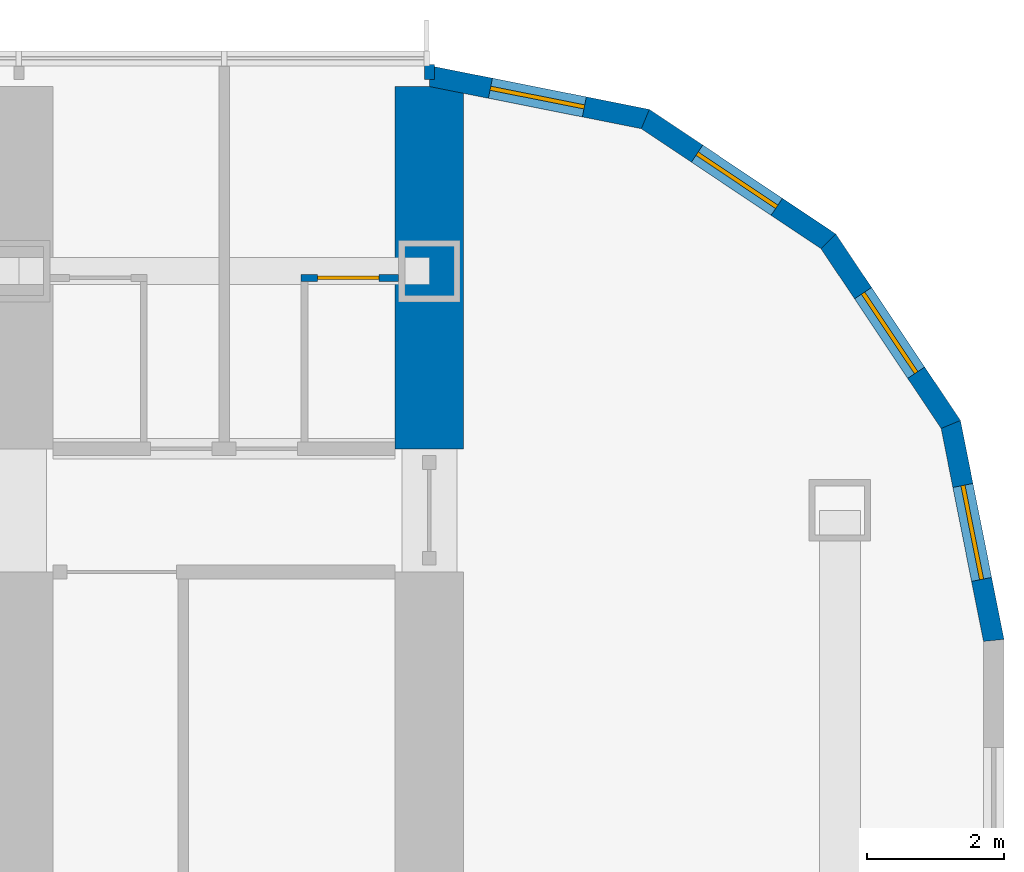
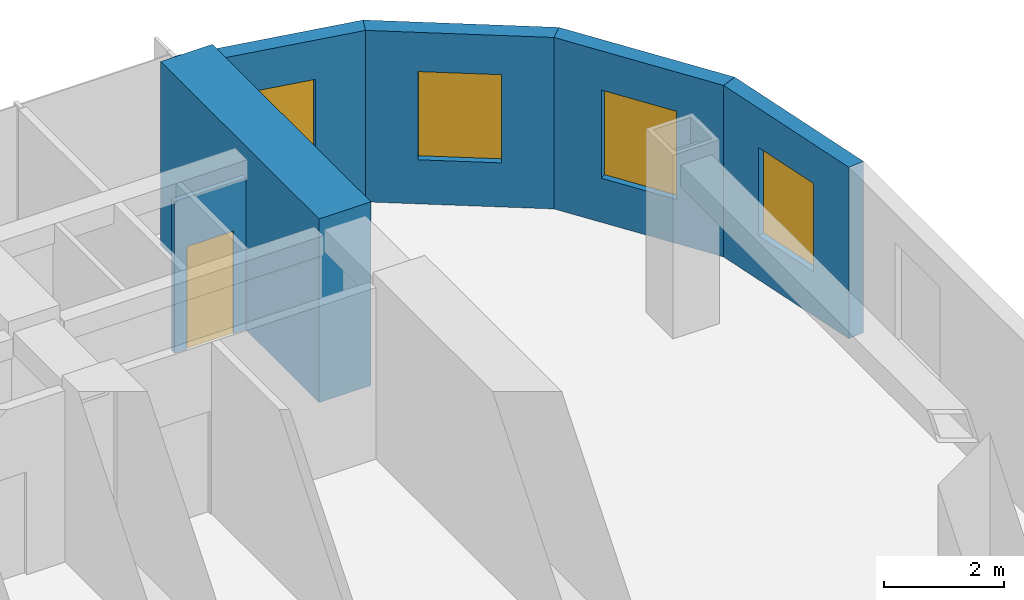
# One storey, part 19 of 24: 7 walls, 4 windows, 1 door, 5 openings.
"""IFC4 building model written with IfcOpenShell, lengths in metres."""

from ifc_helpers import new_model, si_unit, direction, frame, frame_2d, origin, place, context, subcontext, project, spatial, polyline, rectangle, outline, extrude, material, layer, layer_set, type_object, element, fill, save


model = new_model("IFC4")

# Units and contexts
model_context = context("Model", 3, precision=1e-05, world=origin(), true_north=direction((0.0, 1.0)))
body_context = subcontext(model_context, "Body", "Model", "MODEL_VIEW")
ifc_project = project(units=[si_unit("LENGTHUNIT", "METRE"), si_unit("AREAUNIT", "SQUARE_METRE"), si_unit("VOLUMEUNIT", "CUBIC_METRE"), si_unit("PLANEANGLEUNIT", "RADIAN"), si_unit("MASSUNIT", "GRAM", prefix="KILO")], contexts=[model_context])

# Site, building, storey
site_placement = place(None, origin())
site = spatial("IfcSite", under=ifc_project, at=site_placement, CompositionType="ELEMENT")
building_placement = place(site_placement, origin())
building = spatial("IfcBuilding", under=site, at=building_placement, Name="Orbita Commons", CompositionType="ELEMENT")
storey_placement = place(building_placement, frame((0.0, 0.0, 27.699951171875)))
storey = spatial("IfcBuildingStorey", under=building, at=storey_placement, Name="L06", CompositionType="ELEMENT", Elevation=27.699951171875)

# Wall
ifc_material_1 = material(Name="Concrete C50/60", Category="concrete")
ifc_layer_1 = layer(ifc_material_1, 1.0)
ifc_layer_set_1 = layer_set([ifc_layer_1], Name="Concrete C50/60")
wall_type_1 = type_object("IfcWallType", Name="Cross wall 1000 C50/60", PredefinedType="SHEAR", material=ifc_layer_set_1)
wall_1_placement = place(storey_placement, frame((72.0, 51.0, 0.0), z_axis=(0.0, 0.0, 1.0), x_axis=(0.0, 1.0, 0.0)))
element("IfcWall", 1, at=wall_1_placement, inside=storey, type_object=wall_type_1, Name="Cross wall 13 north outer L06", PredefinedType="SHEAR", context=body_context, shape_type="SweptSolid", body=[
    extrude(rectangle(XDim=5.300048828125, YDim=1.0, at=frame_2d((2.64990234375, 0.0))), origin(), (0.0, 0.0, 1.0), 3.75),
])

# Wall, opening, door
ifc_material_2 = material(Name="Moisture-resistant plasterboard on steel studs", Category="steel")
ifc_layer_2 = layer(ifc_material_2, 0.10009765625)
ifc_layer_set_2 = layer_set([ifc_layer_2], Name="Moisture-resistant plasterboard on steel studs")
wall_type_2 = type_object("IfcWallType", Name="En-suite partition 100", PredefinedType="PARTITIONING", material=ifc_layer_set_2)
wall_2_placement = place(storey_placement, frame((70.125, 53.5, 0.0), z_axis=(0.0, 0.0, 1.0), x_axis=(1.0, 0.0, 0.0)))
wall_2 = element("IfcWall", 2, at=wall_2_placement, inside=storey, type_object=wall_type_2, Name="En-suite partition 100 L06", PredefinedType="PARTITIONING", context=body_context, shape_type="SweptSolid", body=[
    extrude(outline(polyline([(0.0, 0.0), (1.425048828125, 0.0), (1.425048828125, 3.10009765625), (0.0, 3.10009765625), (0.0, 0.0)])), frame((0.0, 0.050048828125, 0.0), z_axis=(0.0, -1.0, 0.0), x_axis=(1.0, 0.0, 0.0)), (0.0, 0.0, 1.0), 0.10009765625),
])
opening_1_placement = place(wall_2_placement, frame((0.237548828125, 0.0, 0.0)))
opening_1 = element("IfcOpeningElement", 3, at=opening_1_placement, cuts=wall_2, Name="Opening D09", PredefinedType="OPENING", context=body_context, shape_type="SweptSolid", body=[
    extrude(rectangle(XDim=0.89990234375, YDim=2.10009765625, at=frame_2d((0.449951171875, 1.050048828125))), frame((0.0, 0.06005859375, 0.0), z_axis=(0.0, -1.0, 0.0), x_axis=(1.0, 0.0, 0.0)), (0.0, 0.0, 1.0), 0.1201171875),
])
ifc_material_3 = material(Name="Laminated timber door leaf", Category="wood")
door_type = type_object("IfcDoorType", Name="En-suite door 900x2100", OperationType="SINGLE_SWING_RIGHT", PredefinedType="DOOR", material=ifc_material_3)
door_placement = place(opening_1_placement, origin())
door = element("IfcDoor", 4, at=door_placement, inside=storey, type_object=door_type, Name="En-suite L06-N19 door", OperationType="SINGLE_SWING_RIGHT", OverallHeight=2.10009765625, OverallWidth=0.89990234375, PredefinedType="DOOR", context=body_context, shape_type="SweptSolid", body=[
    extrude(rectangle(XDim=0.89990234375, YDim=2.10009765625, at=frame_2d((0.449951171875, 1.050048828125))), frame((0.0, 0.02490234375, 0.0), z_axis=(0.0, -1.0, 0.0), x_axis=(1.0, 0.0, 0.0)), (0.0, 0.0, 1.0), 0.050048828125),
])
fill(opening_1, door)

# Wall
ifc_material_4 = material(Name="Gypsum plasterboard on steel studs", Category="steel")
ifc_layer_3 = layer(ifc_material_4, 0.14990234375)
ifc_layer_set_3 = layer_set([ifc_layer_3], Name="Gypsum plasterboard on steel studs")
wall_type_3 = type_object("IfcWallType", Name="Partition 150 plasterboard", PredefinedType="PARTITIONING", material=ifc_layer_set_3)
wall_3_placement = place(storey_placement, frame((72.0, 56.39990234375, 0.0), z_axis=(0.0, 0.0, 1.0), x_axis=(0.0, 1.0, 0.0)))
element("IfcWall", 5, at=wall_3_placement, inside=storey, type_object=wall_type_3, Name="Partition 150 plasterboard L06", PredefinedType="PARTITIONING", context=body_context, shape_type="SweptSolid", body=[
    extrude(rectangle(XDim=0.22021484375, YDim=0.14990234375, at=frame_2d((0.110107421875, 0.0))), origin(), (0.0, 0.0, 1.0), 3.5),
])

# Wall, opening, window
ifc_material_5 = material(Name="Precast concrete C40/50, white board-marked finish", Category="concrete")
ifc_layer_4 = layer(ifc_material_5, 0.300048828125)
ifc_layer_set_4 = layer_set([ifc_layer_4], Name="Precast concrete C40/50, white board-marked finish")
wall_type_4 = type_object("IfcWallType", Name="Precast concrete end shield 300", PredefinedType="SOLIDWALL", material=ifc_layer_set_4)
wall_4_placement = place(storey_placement, frame((80.25, 48.199951171875, 0.0), z_axis=(0.0, 0.0, 1.0), x_axis=(-0.195065901187, 0.980790137692, 0.0)))
wall_4 = element("IfcWall", 6, at=wall_4_placement, inside=storey, type_object=wall_type_4, Name="End shield NE chord 1 L06", PredefinedType="SOLIDWALL", context=body_context, shape_type="SweptSolid", body=[
    extrude(outline(polyline([(-0.014892578125, -0.14990234375), (3.248779296875, -0.14990234375), (3.189208984375, 0.14990234375), (0.014892578125, 0.14990234375), (-0.014892578125, -0.14990234375)])), origin(), (0.0, 0.0, 1.0), 3.5),
])
opening_2_placement = place(wall_4_placement, frame((0.909423828125, 0.0, 0.89990234375)))
opening_2 = element("IfcOpeningElement", 7, at=opening_2_placement, cuts=wall_4, Name="Opening W02", PredefinedType="OPENING", context=body_context, shape_type="SweptSolid", body=[
    extrude(rectangle(XDim=1.39990234375, YDim=1.800048828125, at=frame_2d((0.699951171875, 0.89990234375))), frame((0.0, 0.159912109375, 0.0), z_axis=(0.0, -1.0, 0.0), x_axis=(1.0, 0.0, 0.0)), (0.0, 0.0, 1.0), 0.320068359375),
])
ifc_material_6 = material(Name="Aluminium frame, clear double glazing", Category="aluminium")
window_type = type_object("IfcWindowType", Name="Deep-set window 1400x1800", PartitioningType="SINGLE_PANEL", PredefinedType="WINDOW", material=ifc_material_6)
window_1_placement = place(opening_2_placement, origin())
window_1 = element("IfcWindow", 8, at=window_1_placement, inside=storey, type_object=window_type, Name="Window L06-NE0", OverallHeight=1.800048828125, OverallWidth=1.39990234375, PartitioningType="SINGLE_PANEL", PredefinedType="WINDOW", context=body_context, shape_type="SweptSolid", body=[
    extrude(rectangle(XDim=1.39990234375, YDim=1.800048828125, at=frame_2d((0.699951171875, 0.89990234375))), frame((0.0, 0.030029296875, 0.0), z_axis=(0.0, -1.0, 0.0), x_axis=(1.0, 0.0, 0.0)), (0.0, 0.0, 1.0), 0.06005859375),
])
fill(opening_2, window_1)

wall_5_placement = place(storey_placement, frame((79.6220703125, 51.357177734375, 0.0), z_axis=(0.0, 0.0, 1.0), x_axis=(-0.555609954424, 0.831443069936, 0.0)))
wall_5 = element("IfcWall", 9, at=wall_5_placement, inside=storey, type_object=wall_type_4, Name="End shield NE chord 2 L06", PredefinedType="SOLIDWALL", context=body_context, shape_type="SweptSolid", body=[
    extrude(outline(polyline([(-0.02978515625, -0.14990234375), (3.2490234375, -0.14990234375), (3.189453125, 0.14990234375), (0.02978515625, 0.14990234375), (-0.02978515625, -0.14990234375)])), origin(), (0.0, 0.0, 1.0), 3.5),
])
opening_3_placement = place(wall_5_placement, frame((0.909423828125, 0.0, 0.89990234375)))
opening_3 = element("IfcOpeningElement", 10, at=opening_3_placement, cuts=wall_5, Name="Opening W02", PredefinedType="OPENING", context=body_context, shape_type="SweptSolid", body=[
    extrude(rectangle(XDim=1.39990234375, YDim=1.800048828125, at=frame_2d((0.699951171875, 0.89990234375))), frame((0.0, 0.159912109375, 0.0), z_axis=(0.0, -1.0, 0.0), x_axis=(1.0, 0.0, 0.0)), (0.0, 0.0, 1.0), 0.320068359375),
])
window_2_placement = place(opening_3_placement, origin())
window_2 = element("IfcWindow", 11, at=window_2_placement, inside=storey, type_object=window_type, Name="Window L06-NE1", OverallHeight=1.800048828125, OverallWidth=1.39990234375, PartitioningType="SINGLE_PANEL", PredefinedType="WINDOW", context=body_context, shape_type="SweptSolid", body=[
    extrude(rectangle(XDim=1.39990234375, YDim=1.800048828125, at=frame_2d((0.699951171875, 0.89990234375))), frame((0.0, 0.030029296875, 0.0), z_axis=(0.0, -1.0, 0.0), x_axis=(1.0, 0.0, 0.0)), (0.0, 0.0, 1.0), 0.06005859375),
])
fill(opening_3, window_2)

wall_6_placement = place(storey_placement, frame((77.83349609375, 54.03369140625, 0.0), z_axis=(0.0, 0.0, 1.0), x_axis=(-0.831478105043, 0.555557522525, 0.0)))
wall_6 = element("IfcWall", 12, at=wall_6_placement, inside=storey, type_object=wall_type_4, Name="End shield NE chord 3 L06", PredefinedType="SOLIDWALL", context=body_context, shape_type="SweptSolid", body=[
    extrude(outline(polyline([(-0.02978515625, -0.14990234375), (3.248779296875, -0.14990234375), (3.189208984375, 0.14990234375), (0.02978515625, 0.14990234375), (-0.02978515625, -0.14990234375)])), origin(), (0.0, 0.0, 1.0), 3.5),
])
opening_4_placement = place(wall_6_placement, frame((0.909423828125, 0.0, 0.89990234375)))
opening_4 = element("IfcOpeningElement", 13, at=opening_4_placement, cuts=wall_6, Name="Opening W02", PredefinedType="OPENING", context=body_context, shape_type="SweptSolid", body=[
    extrude(rectangle(XDim=1.39990234375, YDim=1.800048828125, at=frame_2d((0.699951171875, 0.89990234375))), frame((0.0, 0.159912109375, 0.0), z_axis=(0.0, -1.0, 0.0), x_axis=(1.0, 0.0, 0.0)), (0.0, 0.0, 1.0), 0.320068359375),
])
window_3_placement = place(opening_4_placement, origin())
window_3 = element("IfcWindow", 14, at=window_3_placement, inside=storey, type_object=window_type, Name="Window L06-NE2", OverallHeight=1.800048828125, OverallWidth=1.39990234375, PartitioningType="SINGLE_PANEL", PredefinedType="WINDOW", context=body_context, shape_type="SweptSolid", body=[
    extrude(rectangle(XDim=1.39990234375, YDim=1.800048828125, at=frame_2d((0.699951171875, 0.89990234375))), frame((0.0, 0.030029296875, 0.0), z_axis=(0.0, -1.0, 0.0), x_axis=(1.0, 0.0, 0.0)), (0.0, 0.0, 1.0), 0.06005859375),
])
fill(opening_4, window_3)

wall_7_placement = place(storey_placement, frame((75.156982421875, 55.822021484375, 0.0), z_axis=(0.0, 0.0, 1.0), x_axis=(-0.980787251524, 0.195080412259, 0.0)))
wall_7 = element("IfcWall", 15, at=wall_7_placement, inside=storey, type_object=wall_type_4, Name="End shield NE chord 4 L06", PredefinedType="SOLIDWALL", context=body_context, shape_type="SweptSolid", body=[
    extrude(outline(polyline([(-0.02978515625, -0.14990234375), (3.24853515625, -0.14990234375), (3.18896484375, 0.14990234375), (0.02978515625, 0.14990234375), (-0.02978515625, -0.14990234375)])), origin(), (0.0, 0.0, 1.0), 3.5),
])
opening_5_placement = place(wall_7_placement, frame((0.909423828125, 0.0, 0.89990234375)))
opening_5 = element("IfcOpeningElement", 16, at=opening_5_placement, cuts=wall_7, Name="Opening W02", PredefinedType="OPENING", context=body_context, shape_type="SweptSolid", body=[
    extrude(rectangle(XDim=1.39990234375, YDim=1.800048828125, at=frame_2d((0.699951171875, 0.89990234375))), frame((0.0, 0.159912109375, 0.0), z_axis=(0.0, -1.0, 0.0), x_axis=(1.0, 0.0, 0.0)), (0.0, 0.0, 1.0), 0.320068359375),
])
window_4_placement = place(opening_5_placement, origin())
window_4 = element("IfcWindow", 17, at=window_4_placement, inside=storey, type_object=window_type, Name="Window L06-NE3", OverallHeight=1.800048828125, OverallWidth=1.39990234375, PartitioningType="SINGLE_PANEL", PredefinedType="WINDOW", context=body_context, shape_type="SweptSolid", body=[
    extrude(rectangle(XDim=1.39990234375, YDim=1.800048828125, at=frame_2d((0.699951171875, 0.89990234375))), frame((0.0, 0.030029296875, 0.0), z_axis=(0.0, -1.0, 0.0), x_axis=(1.0, 0.0, 0.0)), (0.0, 0.0, 1.0), 0.06005859375),
])
fill(opening_5, window_4)

save(model, "model.ifc")
